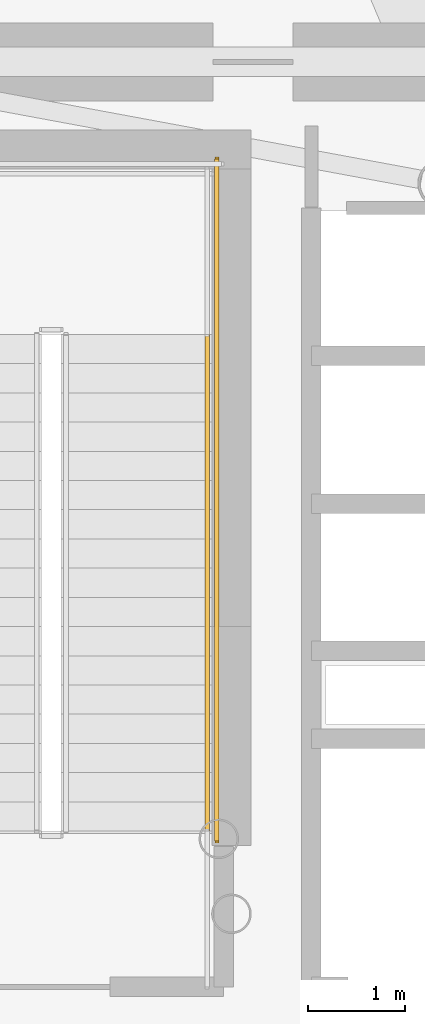
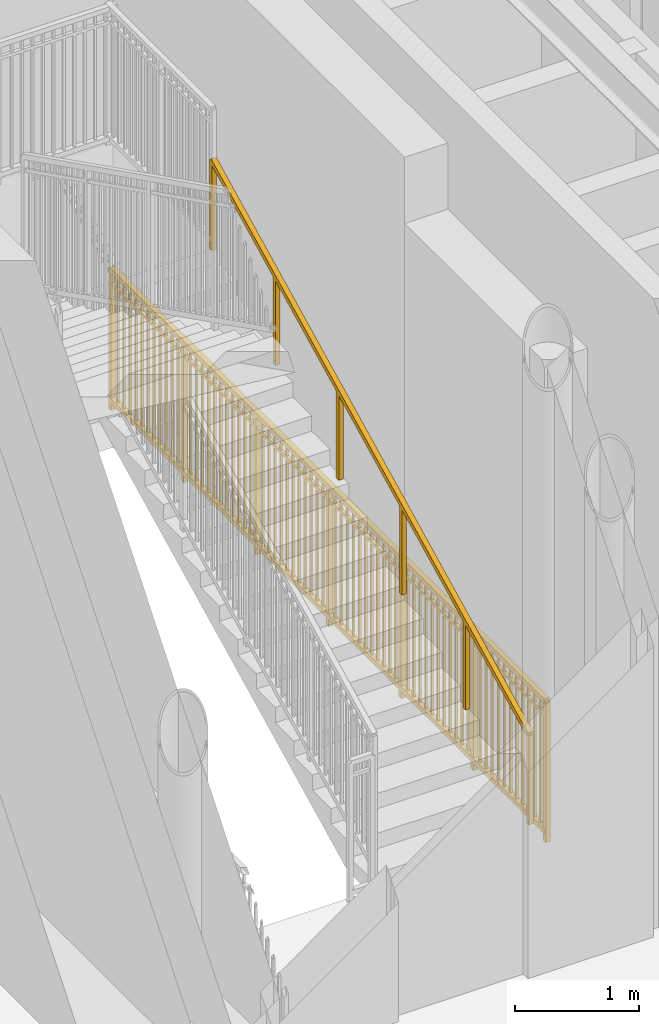
# One storey, part 16 of 20: 2 railings.
"""IFC4 building model written with IfcOpenShell, lengths in metres."""

from ifc_helpers import new_model, si_unit, direction, frame, origin, origin_2d, place, context, subcontext, project, spatial, rectangle, extrude, source, transform, mapped, material, type_object, element, save


model = new_model("IFC4")

# Units and contexts
model_context = context("Model", 3, precision=1e-05, world=origin(), true_north=direction((0.0, 1.0)))
body_context = subcontext(model_context, "Body", "Model", "MODEL_VIEW")
ifc_project = project(units=[si_unit("LENGTHUNIT", "METRE"), si_unit("AREAUNIT", "SQUARE_METRE"), si_unit("VOLUMEUNIT", "CUBIC_METRE"), si_unit("PLANEANGLEUNIT", "RADIAN"), si_unit("MASSUNIT", "GRAM", prefix="KILO")], contexts=[model_context])

# Site, building, storey
site_placement = place(None, origin())
site = spatial("IfcSite", under=ifc_project, at=site_placement, CompositionType="ELEMENT")
building_placement = place(site_placement, origin())
building = spatial("IfcBuilding", under=site, at=building_placement, Name="Linh Dai School and Residence Tower", CompositionType="ELEMENT")
storey_placement = place(building_placement, frame((0.0, 0.0, 204.89990234375)))
storey = spatial("IfcBuildingStorey", under=building, at=storey_placement, Name="L50", CompositionType="ELEMENT", Elevation=204.89990234375)

# Railings
ifc_material_1 = material(Name="Structural Steel S355JR", Category="steel")
railing_type_1 = type_object("IfcRailingType", Name="RL-ST-GUARD-1400", PredefinedType="GUARDRAIL", material=ifc_material_1)
shared_shape_1 = source(origin(), body_context, "Body", "SweptSolid", [
    extrude(rectangle(XDim=0.048095703125, YDim=0.048095703125, at=origin_2d()), frame((0.0, 0.0, 1.3759765625), z_axis=(0.0, 1.0, 0.0), x_axis=(-1.0, 0.0, 0.0)), (0.0, 0.0, 1.0), 7.0),
    extrude(rectangle(XDim=0.048095703125, YDim=0.048095703125, at=origin_2d()), frame((0.0, 0.0, 0.10009765625), z_axis=(0.0, 1.0, 0.0), x_axis=(-1.0, 0.0, 0.0)), (0.0, 0.0, 1.0), 7.0),
    extrude(rectangle(XDim=0.030029296875, YDim=0.030029296875, at=origin_2d()), frame((0.0, 0.0, 1.239990234375), z_axis=(0.0, 1.0, 0.0), x_axis=(-1.0, 0.0, 0.0)), (0.0, 0.0, 1.0), 7.0),
    extrude(rectangle(XDim=0.02001953125, YDim=0.02001953125, at=origin_2d()), frame((0.0, 0.09716796875, 0.10009765625)), (0.0, 0.0, 1.0), 1.251708984375),
    extrude(rectangle(XDim=0.02001953125, YDim=0.02001953125, at=origin_2d()), frame((0.0, 0.1943359375, 0.10009765625)), (0.0, 0.0, 1.0), 1.251708984375),
    extrude(rectangle(XDim=0.02001953125, YDim=0.02001953125, at=origin_2d()), frame((0.0, 0.291748046875, 0.10009765625)), (0.0, 0.0, 1.0), 1.251708984375),
    extrude(rectangle(XDim=0.02001953125, YDim=0.02001953125, at=origin_2d()), frame((0.0, 0.388916015625, 0.10009765625)), (0.0, 0.0, 1.0), 1.251708984375),
    extrude(rectangle(XDim=0.02001953125, YDim=0.02001953125, at=origin_2d()), frame((0.0, 0.486083984375, 0.10009765625)), (0.0, 0.0, 1.0), 1.251708984375),
    extrude(rectangle(XDim=0.02001953125, YDim=0.02001953125, at=origin_2d()), frame((0.0, 0.583251953125, 0.10009765625)), (0.0, 0.0, 1.0), 1.251708984375),
    extrude(rectangle(XDim=0.02001953125, YDim=0.02001953125, at=origin_2d()), frame((0.0, 0.6806640625, 0.10009765625)), (0.0, 0.0, 1.0), 1.251708984375),
    extrude(rectangle(XDim=0.02001953125, YDim=0.02001953125, at=origin_2d()), frame((0.0, 0.77783203125, 0.10009765625)), (0.0, 0.0, 1.0), 1.251708984375),
    extrude(rectangle(XDim=0.02001953125, YDim=0.02001953125, at=origin_2d()), frame((0.0, 0.875, 0.10009765625)), (0.0, 0.0, 1.0), 1.251708984375),
    extrude(rectangle(XDim=0.02001953125, YDim=0.02001953125, at=origin_2d()), frame((0.0, 0.97216796875, 0.10009765625)), (0.0, 0.0, 1.0), 1.251708984375),
    extrude(rectangle(XDim=0.02001953125, YDim=0.02001953125, at=origin_2d()), frame((0.0, 1.0693359375, 0.10009765625)), (0.0, 0.0, 1.0), 1.251708984375),
    extrude(rectangle(XDim=0.02001953125, YDim=0.02001953125, at=origin_2d()), frame((0.0, 1.263916015625, 0.10009765625)), (0.0, 0.0, 1.0), 1.251708984375),
    extrude(rectangle(XDim=0.02001953125, YDim=0.02001953125, at=origin_2d()), frame((0.0, 1.361083984375, 0.10009765625)), (0.0, 0.0, 1.0), 1.251708984375),
    extrude(rectangle(XDim=0.02001953125, YDim=0.02001953125, at=origin_2d()), frame((0.0, 1.458251953125, 0.10009765625)), (0.0, 0.0, 1.0), 1.251708984375),
    extrude(rectangle(XDim=0.02001953125, YDim=0.02001953125, at=origin_2d()), frame((0.0, 1.5556640625, 0.10009765625)), (0.0, 0.0, 1.0), 1.251708984375),
    extrude(rectangle(XDim=0.02001953125, YDim=0.02001953125, at=origin_2d()), frame((0.0, 1.65283203125, 0.10009765625)), (0.0, 0.0, 1.0), 1.251708984375),
    extrude(rectangle(XDim=0.02001953125, YDim=0.02001953125, at=origin_2d()), frame((0.0, 1.75, 0.10009765625)), (0.0, 0.0, 1.0), 1.251708984375),
    extrude(rectangle(XDim=0.02001953125, YDim=0.02001953125, at=origin_2d()), frame((0.0, 1.84716796875, 0.10009765625)), (0.0, 0.0, 1.0), 1.251708984375),
    extrude(rectangle(XDim=0.02001953125, YDim=0.02001953125, at=origin_2d()), frame((0.0, 1.9443359375, 0.10009765625)), (0.0, 0.0, 1.0), 1.251708984375),
    extrude(rectangle(XDim=0.02001953125, YDim=0.02001953125, at=origin_2d()), frame((0.0, 2.041748046875, 0.10009765625)), (0.0, 0.0, 1.0), 1.251708984375),
    extrude(rectangle(XDim=0.02001953125, YDim=0.02001953125, at=origin_2d()), frame((0.0, 2.138916015625, 0.10009765625)), (0.0, 0.0, 1.0), 1.251708984375),
    extrude(rectangle(XDim=0.02001953125, YDim=0.02001953125, at=origin_2d()), frame((0.0, 2.236083984375, 0.10009765625)), (0.0, 0.0, 1.0), 1.251708984375),
    extrude(rectangle(XDim=0.02001953125, YDim=0.02001953125, at=origin_2d()), frame((0.0, 2.4306640625, 0.10009765625)), (0.0, 0.0, 1.0), 1.251708984375),
    extrude(rectangle(XDim=0.02001953125, YDim=0.02001953125, at=origin_2d()), frame((0.0, 2.52783203125, 0.10009765625)), (0.0, 0.0, 1.0), 1.251708984375),
    extrude(rectangle(XDim=0.02001953125, YDim=0.02001953125, at=origin_2d()), frame((0.0, 2.625, 0.10009765625)), (0.0, 0.0, 1.0), 1.251708984375),
    extrude(rectangle(XDim=0.02001953125, YDim=0.02001953125, at=origin_2d()), frame((0.0, 2.72216796875, 0.10009765625)), (0.0, 0.0, 1.0), 1.251708984375),
    extrude(rectangle(XDim=0.02001953125, YDim=0.02001953125, at=origin_2d()), frame((0.0, 2.8193359375, 0.10009765625)), (0.0, 0.0, 1.0), 1.251708984375),
    extrude(rectangle(XDim=0.02001953125, YDim=0.02001953125, at=origin_2d()), frame((0.0, 2.916748046875, 0.10009765625)), (0.0, 0.0, 1.0), 1.251708984375),
    extrude(rectangle(XDim=0.02001953125, YDim=0.02001953125, at=origin_2d()), frame((0.0, 3.013916015625, 0.10009765625)), (0.0, 0.0, 1.0), 1.251708984375),
    extrude(rectangle(XDim=0.02001953125, YDim=0.02001953125, at=origin_2d()), frame((0.0, 3.111083984375, 0.10009765625)), (0.0, 0.0, 1.0), 1.251708984375),
    extrude(rectangle(XDim=0.02001953125, YDim=0.02001953125, at=origin_2d()), frame((0.0, 3.208251953125, 0.10009765625)), (0.0, 0.0, 1.0), 1.251708984375),
    extrude(rectangle(XDim=0.02001953125, YDim=0.02001953125, at=origin_2d()), frame((0.0, 3.3056640625, 0.10009765625)), (0.0, 0.0, 1.0), 1.251708984375),
    extrude(rectangle(XDim=0.02001953125, YDim=0.02001953125, at=origin_2d()), frame((0.0, 3.40283203125, 0.10009765625)), (0.0, 0.0, 1.0), 1.251708984375),
    extrude(rectangle(XDim=0.02001953125, YDim=0.02001953125, at=origin_2d()), frame((0.0, 3.59716796875, 0.10009765625)), (0.0, 0.0, 1.0), 1.251708984375),
    extrude(rectangle(XDim=0.02001953125, YDim=0.02001953125, at=origin_2d()), frame((0.0, 3.6943359375, 0.10009765625)), (0.0, 0.0, 1.0), 1.251708984375),
    extrude(rectangle(XDim=0.02001953125, YDim=0.02001953125, at=origin_2d()), frame((0.0, 3.791748046875, 0.10009765625)), (0.0, 0.0, 1.0), 1.251708984375),
    extrude(rectangle(XDim=0.02001953125, YDim=0.02001953125, at=origin_2d()), frame((0.0, 3.888916015625, 0.10009765625)), (0.0, 0.0, 1.0), 1.251708984375),
    extrude(rectangle(XDim=0.02001953125, YDim=0.02001953125, at=origin_2d()), frame((0.0, 3.986083984375, 0.10009765625)), (0.0, 0.0, 1.0), 1.251708984375),
    extrude(rectangle(XDim=0.02001953125, YDim=0.02001953125, at=origin_2d()), frame((0.0, 4.083251953125, 0.10009765625)), (0.0, 0.0, 1.0), 1.251708984375),
    extrude(rectangle(XDim=0.02001953125, YDim=0.02001953125, at=origin_2d()), frame((0.0, 4.1806640625, 0.10009765625)), (0.0, 0.0, 1.0), 1.251708984375),
    extrude(rectangle(XDim=0.02001953125, YDim=0.02001953125, at=origin_2d()), frame((0.0, 4.27783203125, 0.10009765625)), (0.0, 0.0, 1.0), 1.251708984375),
    extrude(rectangle(XDim=0.02001953125, YDim=0.02001953125, at=origin_2d()), frame((0.0, 4.375, 0.10009765625)), (0.0, 0.0, 1.0), 1.251708984375),
    extrude(rectangle(XDim=0.02001953125, YDim=0.02001953125, at=origin_2d()), frame((0.0, 4.47216796875, 0.10009765625)), (0.0, 0.0, 1.0), 1.251708984375),
    extrude(rectangle(XDim=0.02001953125, YDim=0.02001953125, at=origin_2d()), frame((0.0, 4.5693359375, 0.10009765625)), (0.0, 0.0, 1.0), 1.251708984375),
    extrude(rectangle(XDim=0.02001953125, YDim=0.02001953125, at=origin_2d()), frame((0.0, 4.763916015625, 0.10009765625)), (0.0, 0.0, 1.0), 1.251708984375),
    extrude(rectangle(XDim=0.02001953125, YDim=0.02001953125, at=origin_2d()), frame((0.0, 4.861083984375, 0.10009765625)), (0.0, 0.0, 1.0), 1.251708984375),
    extrude(rectangle(XDim=0.02001953125, YDim=0.02001953125, at=origin_2d()), frame((0.0, 4.958251953125, 0.10009765625)), (0.0, 0.0, 1.0), 1.251708984375),
    extrude(rectangle(XDim=0.02001953125, YDim=0.02001953125, at=origin_2d()), frame((0.0, 5.0556640625, 0.10009765625)), (0.0, 0.0, 1.0), 1.251708984375),
    extrude(rectangle(XDim=0.02001953125, YDim=0.02001953125, at=origin_2d()), frame((0.0, 5.15283203125, 0.10009765625)), (0.0, 0.0, 1.0), 1.251708984375),
    extrude(rectangle(XDim=0.02001953125, YDim=0.02001953125, at=origin_2d()), frame((0.0, 5.25, 0.10009765625)), (0.0, 0.0, 1.0), 1.251708984375),
    extrude(rectangle(XDim=0.02001953125, YDim=0.02001953125, at=origin_2d()), frame((0.0, 5.34716796875, 0.10009765625)), (0.0, 0.0, 1.0), 1.251708984375),
    extrude(rectangle(XDim=0.02001953125, YDim=0.02001953125, at=origin_2d()), frame((0.0, 5.4443359375, 0.10009765625)), (0.0, 0.0, 1.0), 1.251708984375),
    extrude(rectangle(XDim=0.02001953125, YDim=0.02001953125, at=origin_2d()), frame((0.0, 5.541748046875, 0.10009765625)), (0.0, 0.0, 1.0), 1.251708984375),
    extrude(rectangle(XDim=0.02001953125, YDim=0.02001953125, at=origin_2d()), frame((0.0, 5.638916015625, 0.10009765625)), (0.0, 0.0, 1.0), 1.251708984375),
    extrude(rectangle(XDim=0.02001953125, YDim=0.02001953125, at=origin_2d()), frame((0.0, 5.736083984375, 0.10009765625)), (0.0, 0.0, 1.0), 1.251708984375),
    extrude(rectangle(XDim=0.02001953125, YDim=0.02001953125, at=origin_2d()), frame((0.0, 5.9306640625, 0.10009765625)), (0.0, 0.0, 1.0), 1.251708984375),
    extrude(rectangle(XDim=0.02001953125, YDim=0.02001953125, at=origin_2d()), frame((0.0, 6.02783203125, 0.10009765625)), (0.0, 0.0, 1.0), 1.251708984375),
    extrude(rectangle(XDim=0.02001953125, YDim=0.02001953125, at=origin_2d()), frame((0.0, 6.125, 0.10009765625)), (0.0, 0.0, 1.0), 1.251708984375),
    extrude(rectangle(XDim=0.02001953125, YDim=0.02001953125, at=origin_2d()), frame((0.0, 6.22216796875, 0.10009765625)), (0.0, 0.0, 1.0), 1.251708984375),
    extrude(rectangle(XDim=0.02001953125, YDim=0.02001953125, at=origin_2d()), frame((0.0, 6.3193359375, 0.10009765625)), (0.0, 0.0, 1.0), 1.251708984375),
    extrude(rectangle(XDim=0.02001953125, YDim=0.02001953125, at=origin_2d()), frame((0.0, 6.416748046875, 0.10009765625)), (0.0, 0.0, 1.0), 1.251708984375),
    extrude(rectangle(XDim=0.02001953125, YDim=0.02001953125, at=origin_2d()), frame((0.0, 6.513916015625, 0.10009765625)), (0.0, 0.0, 1.0), 1.251708984375),
    extrude(rectangle(XDim=0.02001953125, YDim=0.02001953125, at=origin_2d()), frame((0.0, 6.611083984375, 0.10009765625)), (0.0, 0.0, 1.0), 1.251708984375),
    extrude(rectangle(XDim=0.02001953125, YDim=0.02001953125, at=origin_2d()), frame((0.0, 6.708251953125, 0.10009765625)), (0.0, 0.0, 1.0), 1.251708984375),
    extrude(rectangle(XDim=0.02001953125, YDim=0.02001953125, at=origin_2d()), frame((0.0, 6.8056640625, 0.10009765625)), (0.0, 0.0, 1.0), 1.251708984375),
    extrude(rectangle(XDim=0.02001953125, YDim=0.02001953125, at=origin_2d()), frame((0.0, 6.90283203125, 0.10009765625)), (0.0, 0.0, 1.0), 1.251708984375),
    extrude(rectangle(XDim=0.0419921875, YDim=0.0419921875, at=origin_2d()), origin(), (0.0, 0.0, 1.0), 1.3759765625),
    extrude(rectangle(XDim=0.0419921875, YDim=0.0419921875, at=origin_2d()), frame((0.0, 1.166748046875, 0.0)), (0.0, 0.0, 1.0), 1.3759765625),
    extrude(rectangle(XDim=0.0419921875, YDim=0.0419921875, at=origin_2d()), frame((0.0, 2.333251953125, 0.0)), (0.0, 0.0, 1.0), 1.3759765625),
    extrude(rectangle(XDim=0.0419921875, YDim=0.0419921875, at=origin_2d()), frame((0.0, 3.5, 0.0)), (0.0, 0.0, 1.0), 1.3759765625),
    extrude(rectangle(XDim=0.0419921875, YDim=0.0419921875, at=origin_2d()), frame((0.0, 4.666748046875, 0.0)), (0.0, 0.0, 1.0), 1.3759765625),
    extrude(rectangle(XDim=0.0419921875, YDim=0.0419921875, at=origin_2d()), frame((0.0, 5.833251953125, 0.0)), (0.0, 0.0, 1.0), 1.3759765625),
    extrude(rectangle(XDim=0.0419921875, YDim=0.0419921875, at=origin_2d()), frame((0.0, 7.0, 0.0)), (0.0, 0.0, 1.0), 1.3759765625),
])
railing_1_placement = place(storey_placement, frame((31.030029296875, 25.60009765625, 0.0)))
element("IfcRailing", 1, at=railing_1_placement, inside=storey, type_object=railing_type_1, Name="L50 ST1 stair guard 10", PredefinedType="GUARDRAIL", context=body_context, shape_type="MappedRepresentation", body=[
    mapped(shared_shape_1, transform((0.0, 0.0, 0.0), x_axis=(1.0, 0.0, 0.0), y_axis=(0.0, 1.0, 0.0), z_axis=(0.0, 0.0, 1.0), scale=1.0)),
])
ifc_material_2 = material(Name="Brushed Stainless Steel Handrail", Category="steel")
railing_type_2 = type_object("IfcRailingType", Name="RL-ST-HANDRAIL-900", PredefinedType="HANDRAIL", material=ifc_material_2)
shared_shape_2 = source(origin(), body_context, "Body", "SweptSolid", [
    extrude(rectangle(XDim=0.048095703125, YDim=0.048095703125, at=origin_2d()), frame((0.0, 0.0, 0.8759765625), z_axis=(0.0, 0.894427191, 0.4472135955), x_axis=(-1.0, 0.0, 0.0)), (0.0, 0.0, 1.0), 5.7021484375),
    extrude(rectangle(XDim=0.0419921875, YDim=0.0419921875, at=origin_2d()), origin(), (0.0, 0.0, 1.0), 0.8759765625),
    extrude(rectangle(XDim=0.0419921875, YDim=0.0419921875, at=origin_2d()), frame((0.0, 1.02001953125, 0.510009765625)), (0.0, 0.0, 1.0), 0.8759765625),
    extrude(rectangle(XDim=0.0419921875, YDim=0.0419921875, at=origin_2d()), frame((0.0, 2.0400390625, 1.02001953125)), (0.0, 0.0, 1.0), 0.8759765625),
    extrude(rectangle(XDim=0.0419921875, YDim=0.0419921875, at=origin_2d()), frame((0.0, 3.06005859375, 1.530029296875)), (0.0, 0.0, 1.0), 0.8759765625),
    extrude(rectangle(XDim=0.0419921875, YDim=0.0419921875, at=origin_2d()), frame((0.0, 4.080078125, 2.0400390625)), (0.0, 0.0, 1.0), 0.8759765625),
    extrude(rectangle(XDim=0.0419921875, YDim=0.0419921875, at=origin_2d()), frame((0.0, 5.10009765625, 2.550048828125)), (0.0, 0.0, 1.0), 0.8759765625),
])
railing_2_placement = place(storey_placement, frame((30.929931640625, 25.699951171875, 0.150146484375)))
element("IfcRailing", 2, at=railing_2_placement, inside=storey, type_object=railing_type_2, Name="L50 ST1 stair handrail 1", PredefinedType="HANDRAIL", context=body_context, shape_type="MappedRepresentation", body=[
    mapped(shared_shape_2, transform((0.0, 0.0, 0.0), x_axis=(1.0, 0.0, 0.0), y_axis=(0.0, 1.0, 0.0), z_axis=(0.0, 0.0, 1.0), scale=1.0)),
])

save(model, "model.ifc")
